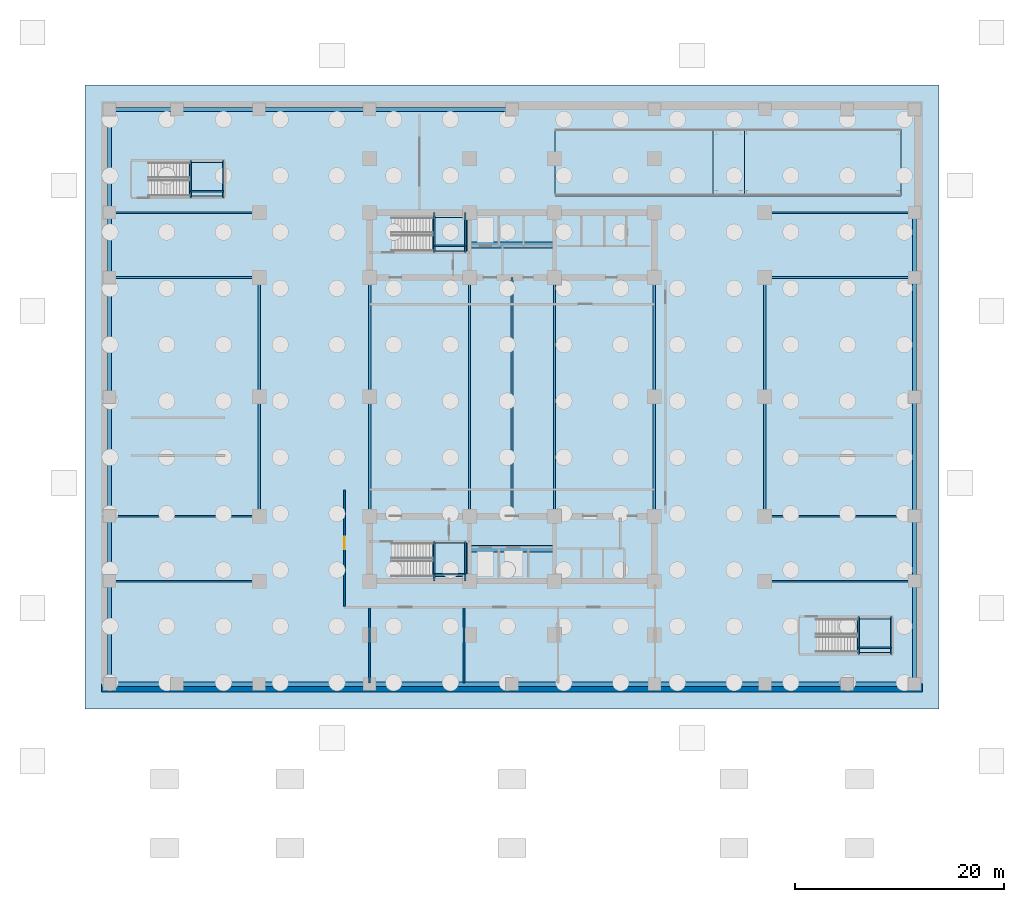
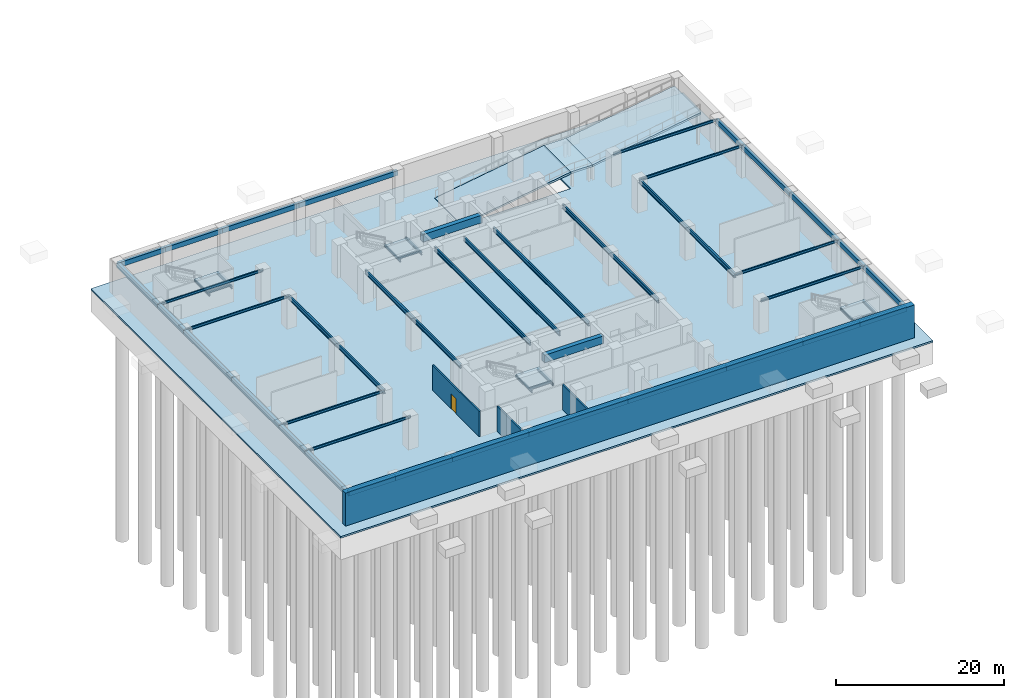
# One storey, part 6 of 13: 52 beams, 8 slabs, 4 walls, 1 door, 1 opening, 4 elements without a shape of their own.
"""IFC4 building model written with IfcOpenShell, lengths in metres."""

from ifc_helpers import new_model, si_unit, direction, frame, frame_2d, origin, origin_2d, place, context, subcontext, project, spatial, polyline, rectangle, i_section, outline, extrude, material, layer, layer_set, material_profile, profile_set, type_object, element, fill, aggregate, save


model = new_model("IFC4")

# Units and contexts
model_context = context("Model", 3, precision=1e-05, world=origin(), true_north=direction((0.0, 1.0)))
body_context = subcontext(model_context, "Body", "Model", "MODEL_VIEW")
ifc_project = project(units=[si_unit("LENGTHUNIT", "METRE"), si_unit("AREAUNIT", "SQUARE_METRE"), si_unit("VOLUMEUNIT", "CUBIC_METRE"), si_unit("PLANEANGLEUNIT", "RADIAN"), si_unit("MASSUNIT", "GRAM", prefix="KILO")], contexts=[model_context])

# Site, building, storey
site_placement = place(None, origin())
site = spatial("IfcSite", under=ifc_project, at=site_placement, CompositionType="ELEMENT")
building_placement = place(site_placement, origin())
building = spatial("IfcBuilding", under=site, at=building_placement, Name="Svetorya Sky Lyceum", CompositionType="ELEMENT")
storey_placement = place(building_placement, frame((0.0, 0.0, -4.800048828125)))
storey = spatial("IfcBuildingStorey", under=building, at=storey_placement, Name="B01", CompositionType="ELEMENT", Elevation=-4.800048828125)

# Beams
ifc_material_1 = material(Name="Concrete C60/75", Category="concrete")
ifc_material_profile_1 = material_profile(ifc_material_1, rectangle(XDim=0.60009765625, YDim=1.10009765625, at=origin_2d()), Name="RC COUPLING 600x1100")
ifc_profile_set_1 = profile_set([ifc_material_profile_1], Name="Concrete C60/75")
beam_type_1 = type_object("IfcBeamType", Name="BM-CPL-1100", PredefinedType="LINTEL", material=ifc_profile_set_1)
for number, where, z_axis, x_axis, name in (
    (1, (35.14990234375, 13.699951171875, 3.900146484375), (1.0, 0.0, 0.0), (0.0, 1.0, 0.0), "B01 SC Core Coupling Beam"),
    (2, (35.14990234375, 42.699951171875, 3.900146484375), (1.0, 0.0, 0.0), (0.0, 1.0, 0.0), "B01 NC Core Coupling Beam"),
):
    element("IfcBeam", number, at=place(storey_placement, frame(where, z_axis=z_axis, x_axis=x_axis)), inside=storey, type_object=beam_type_1, Name=name, PredefinedType="LINTEL", context=body_context, shape_type="SweptSolid", body=[
        extrude(rectangle(XDim=0.60009765625, YDim=1.10009765625, at=origin_2d()), origin(), (0.0, 0.0, 1.0), 8.10009765625),
    ])
ifc_material_2 = material(Name="Concrete C50/60", Category="concrete")
ifc_material_profile_2 = material_profile(ifc_material_2, rectangle(XDim=0.39990234375, YDim=0.699951171875, at=origin_2d()), Name="RC SPANDREL 400x700")
ifc_profile_set_2 = profile_set([ifc_material_profile_2], Name="Concrete C50/60")
beam_type_2 = type_object("IfcBeamType", Name="BM-SPN-700", PredefinedType="SPANDREL", material=ifc_profile_set_2)
for number, where, z_axis, x_axis, name in (
    (3, (0.75, 0.75, 4.10009765625), (1.0, 0.0, 0.0), (0.0, 1.0, 0.0), "B01 Podium South Spandrel 1"),
    (4, (0.75, 55.64990234375, 4.10009765625), (1.0, 0.0, 0.0), (0.0, 1.0, 0.0), "B01 Podium North Spandrel 1"),
):
    element("IfcBeam", number, at=place(storey_placement, frame(where, z_axis=z_axis, x_axis=x_axis)), inside=storey, type_object=beam_type_2, Name=name, PredefinedType="SPANDREL", context=body_context, shape_type="SweptSolid", body=[
        extrude(rectangle(XDim=0.39990234375, YDim=0.699951171875, at=origin_2d()), origin(), (0.0, 0.0, 1.0), 6.449951171875),
    ])
for number, where, z_axis, x_axis, name in (
    (5, (7.199951171875, 0.75, 4.10009765625), (1.0, 0.0, 0.0), (0.0, 1.0, 0.0), "B01 Podium South Spandrel 2"),
    (6, (7.199951171875, 55.64990234375, 4.10009765625), (1.0, 0.0, 0.0), (0.0, 1.0, 0.0), "B01 Podium North Spandrel 2"),
):
    element("IfcBeam", number, at=place(storey_placement, frame(where, z_axis=z_axis, x_axis=x_axis)), inside=storey, type_object=beam_type_2, Name=name, PredefinedType="SPANDREL", context=body_context, shape_type="SweptSolid", body=[
        extrude(rectangle(XDim=0.39990234375, YDim=0.699951171875, at=origin_2d()), origin(), (0.0, 0.0, 1.0), 7.85009765625),
    ])
for number, where, z_axis, x_axis, name in (
    (7, (15.050048828125, 0.75, 4.10009765625), (1.0, 0.0, 0.0), (0.0, 1.0, 0.0), "B01 Podium South Spandrel 3"),
    (8, (15.050048828125, 55.64990234375, 4.10009765625), (1.0, 0.0, 0.0), (0.0, 1.0, 0.0), "B01 Podium North Spandrel 3"),
):
    element("IfcBeam", number, at=place(storey_placement, frame(where, z_axis=z_axis, x_axis=x_axis)), inside=storey, type_object=beam_type_2, Name=name, PredefinedType="SPANDREL", context=body_context, shape_type="SweptSolid", body=[
        extrude(rectangle(XDim=0.39990234375, YDim=0.699951171875, at=origin_2d()), origin(), (0.0, 0.0, 1.0), 10.550048828125),
    ])
for number, where, z_axis, x_axis, name in (
    (9, (25.60009765625, 0.75, 4.10009765625), (1.0, 0.0, 0.0), (0.0, 1.0, 0.0), "B01 Podium South Spandrel 4"),
    (10, (25.60009765625, 55.64990234375, 4.10009765625), (1.0, 0.0, 0.0), (0.0, 1.0, 0.0), "B01 Podium North Spandrel 4"),
):
    element("IfcBeam", number, at=place(storey_placement, frame(where, z_axis=z_axis, x_axis=x_axis)), inside=storey, type_object=beam_type_2, Name=name, PredefinedType="SPANDREL", context=body_context, shape_type="SweptSolid", body=[
        extrude(rectangle(XDim=0.39990234375, YDim=0.699951171875, at=origin_2d()), origin(), (0.0, 0.0, 1.0), 13.599853515625),
    ])
beam_1_placement = place(storey_placement, frame((39.199951171875, 0.75, 4.10009765625), z_axis=(1.0, 0.0, 0.0), x_axis=(0.0, 1.0, 0.0)))
element("IfcBeam", 11, at=beam_1_placement, inside=storey, type_object=beam_type_2, Name="B01 Podium South Spandrel 5", PredefinedType="SPANDREL", context=body_context, shape_type="SweptSolid", body=[
    extrude(rectangle(XDim=0.39990234375, YDim=0.699951171875, at=origin_2d()), origin(), (0.0, 0.0, 1.0), 13.60009765625),
])
beam_2_placement = place(storey_placement, frame((52.800048828125, 0.75, 4.10009765625), z_axis=(1.0, 0.0, 0.0), x_axis=(0.0, 1.0, 0.0)))
element("IfcBeam", 12, at=beam_2_placement, inside=storey, type_object=beam_type_2, Name="B01 Podium South Spandrel 6", PredefinedType="SPANDREL", context=body_context, shape_type="SweptSolid", body=[
    extrude(rectangle(XDim=0.39990234375, YDim=0.699951171875, at=origin_2d()), origin(), (0.0, 0.0, 1.0), 10.550048828125),
])
beam_3_placement = place(storey_placement, frame((63.35009765625, 0.75, 4.10009765625), z_axis=(1.0, 0.0, 0.0), x_axis=(0.0, 1.0, 0.0)))
element("IfcBeam", 13, at=beam_3_placement, inside=storey, type_object=beam_type_2, Name="B01 Podium South Spandrel 7", PredefinedType="SPANDREL", context=body_context, shape_type="SweptSolid", body=[
    extrude(rectangle(XDim=0.39990234375, YDim=0.699951171875, at=origin_2d()), origin(), (0.0, 0.0, 1.0), 7.849853515625),
])
beam_4_placement = place(storey_placement, frame((71.199951171875, 0.75, 4.10009765625), z_axis=(1.0, 0.0, 0.0), x_axis=(0.0, 1.0, 0.0)))
element("IfcBeam", 14, at=beam_4_placement, inside=storey, type_object=beam_type_2, Name="B01 Podium South Spandrel 8", PredefinedType="SPANDREL", context=body_context, shape_type="SweptSolid", body=[
    extrude(rectangle(XDim=0.39990234375, YDim=0.699951171875, at=origin_2d()), origin(), (0.0, 0.0, 1.0), 6.449951171875),
])
for number, where, z_axis, x_axis, name in (
    (15, (0.75, 0.75, 4.10009765625), (0.0, 1.0, 0.0), (-1.0, 0.0, 0.0), "B01 Podium West Spandrel 1"),
    (16, (77.64990234375, 0.75, 4.10009765625), (0.0, 1.0, 0.0), (-1.0, 0.0, 0.0), "B01 Podium East Spandrel 1"),
):
    element("IfcBeam", number, at=place(storey_placement, frame(where, z_axis=z_axis, x_axis=x_axis)), inside=storey, type_object=beam_type_2, Name=name, PredefinedType="SPANDREL", context=body_context, shape_type="SweptSolid", body=[
        extrude(rectangle(XDim=0.39990234375, YDim=0.699951171875, at=origin_2d()), origin(), (0.0, 0.0, 1.0), 9.85009765625),
    ])
for number, where, z_axis, x_axis, name in (
    (17, (0.75, 10.60009765625, 4.10009765625), (0.0, 1.0, 0.0), (-1.0, 0.0, 0.0), "B01 Podium West Spandrel 2"),
    (18, (77.64990234375, 10.60009765625, 4.10009765625), (0.0, 1.0, 0.0), (-1.0, 0.0, 0.0), "B01 Podium East Spandrel 2"),
):
    element("IfcBeam", number, at=place(storey_placement, frame(where, z_axis=z_axis, x_axis=x_axis)), inside=storey, type_object=beam_type_2, Name=name, PredefinedType="SPANDREL", context=body_context, shape_type="SweptSolid", body=[
        extrude(rectangle(XDim=0.39990234375, YDim=0.699951171875, at=origin_2d()), origin(), (0.0, 0.0, 1.0), 6.199951171875),
    ])
for number, where, z_axis, x_axis, name in (
    (19, (0.75, 16.800048828125, 4.10009765625), (0.0, 1.0, 0.0), (-1.0, 0.0, 0.0), "B01 Podium West Spandrel 3"),
    (20, (77.64990234375, 16.800048828125, 4.10009765625), (0.0, 1.0, 0.0), (-1.0, 0.0, 0.0), "B01 Podium East Spandrel 3"),
):
    element("IfcBeam", number, at=place(storey_placement, frame(where, z_axis=z_axis, x_axis=x_axis)), inside=storey, type_object=beam_type_2, Name=name, PredefinedType="SPANDREL", context=body_context, shape_type="SweptSolid", body=[
        extrude(rectangle(XDim=0.39990234375, YDim=0.699951171875, at=origin_2d()), origin(), (0.0, 0.0, 1.0), 11.39990234375),
    ])
for number, where, z_axis, x_axis, name in (
    (21, (0.75, 28.199951171875, 4.10009765625), (0.0, 1.0, 0.0), (-1.0, 0.0, 0.0), "B01 Podium West Spandrel 4"),
    (22, (77.64990234375, 28.199951171875, 4.10009765625), (0.0, 1.0, 0.0), (-1.0, 0.0, 0.0), "B01 Podium East Spandrel 4"),
):
    element("IfcBeam", number, at=place(storey_placement, frame(where, z_axis=z_axis, x_axis=x_axis)), inside=storey, type_object=beam_type_2, Name=name, PredefinedType="SPANDREL", context=body_context, shape_type="SweptSolid", body=[
        extrude(rectangle(XDim=0.39990234375, YDim=0.699951171875, at=origin_2d()), origin(), (0.0, 0.0, 1.0), 11.400146484375),
    ])
for number, where, z_axis, x_axis, name in (
    (23, (0.75, 39.60009765625, 4.10009765625), (0.0, 1.0, 0.0), (-1.0, 0.0, 0.0), "B01 Podium West Spandrel 5"),
    (24, (77.64990234375, 39.60009765625, 4.10009765625), (0.0, 1.0, 0.0), (-1.0, 0.0, 0.0), "B01 Podium East Spandrel 5"),
):
    element("IfcBeam", number, at=place(storey_placement, frame(where, z_axis=z_axis, x_axis=x_axis)), inside=storey, type_object=beam_type_2, Name=name, PredefinedType="SPANDREL", context=body_context, shape_type="SweptSolid", body=[
        extrude(rectangle(XDim=0.39990234375, YDim=0.699951171875, at=origin_2d()), origin(), (0.0, 0.0, 1.0), 6.199951171875),
    ])
beam_5_placement = place(storey_placement, frame((0.75, 45.800048828125, 4.10009765625), z_axis=(0.0, 1.0, 0.0), x_axis=(-1.0, 0.0, 0.0)))
element("IfcBeam", 25, at=beam_5_placement, inside=storey, type_object=beam_type_2, Name="B01 Podium West Spandrel 6", PredefinedType="SPANDREL", context=body_context, shape_type="SweptSolid", body=[
    extrude(rectangle(XDim=0.39990234375, YDim=0.699951171875, at=origin_2d()), origin(), (0.0, 0.0, 1.0), 9.849853515625),
])
ifc_material_3 = material(Name="Steel S355", Category="steel")
ifc_material_profile_3 = material_profile(ifc_material_3, i_section(OverallWidth=0.14990234375, OverallDepth=0.299072265625, WebThickness=0.006591796875, FlangeThickness=0.010498046875, at=origin_2d()), Name="GOST 30B2")
ifc_profile_set_3 = profile_set([ifc_material_profile_3], Name="Steel S355")
beam_type_3 = type_object("IfcBeamType", Name="BM-STL-30B2", PredefinedType="JOIST", material=ifc_profile_set_3)
for number, where, z_axis, x_axis, name in (
    (26, (31.780029296875, 10.60009765625, 2.050537109375), (0.0, 1.0, 0.0), (-1.0, 0.0, 0.0), "B01 Stair ST-S Half-Landing Support Beam 1.1"),
    (27, (34.719970703125, 10.60009765625, 2.050537109375), (0.0, 1.0, 0.0), (-1.0, 0.0, 0.0), "B01 Stair ST-S Half-Landing Support Beam 1.2"),
):
    element("IfcBeam", number, at=place(storey_placement, frame(where, z_axis=z_axis, x_axis=x_axis)), inside=storey, type_object=beam_type_3, Name=name, PredefinedType="JOIST", context=body_context, shape_type="SweptSolid", body=[
        extrude(i_section(OverallWidth=0.14990234375, OverallDepth=0.299072265625, WebThickness=0.006591796875, FlangeThickness=0.010498046875, at=origin_2d()), origin(), (0.0, 0.0, 1.0), 3.7998046875),
    ])
beam_6_placement = place(storey_placement, frame((31.780029296875, 11.25, 2.050537109375), z_axis=(1.0, 0.0, 0.0), x_axis=(0.0, 1.0, 0.0)))
element("IfcBeam", 28, at=beam_6_placement, inside=storey, type_object=beam_type_3, Name="B01 Stair ST-S Half-Landing Cross Tie 1", PredefinedType="JOIST", context=body_context, shape_type="SweptSolid", body=[
    extrude(i_section(OverallWidth=0.14990234375, OverallDepth=0.299072265625, WebThickness=0.006591796875, FlangeThickness=0.010498046875, at=origin_2d()), origin(), (0.0, 0.0, 1.0), 2.93994140625),
])
for number, where, z_axis, x_axis, name in (
    (29, (31.780029296875, 42.0, 2.050537109375), (0.0, 1.0, 0.0), (-1.0, 0.0, 0.0), "B01 Stair ST-N Half-Landing Support Beam 1.1"),
    (30, (34.719970703125, 42.0, 2.050537109375), (0.0, 1.0, 0.0), (-1.0, 0.0, 0.0), "B01 Stair ST-N Half-Landing Support Beam 1.2"),
):
    element("IfcBeam", number, at=place(storey_placement, frame(where, z_axis=z_axis, x_axis=x_axis)), inside=storey, type_object=beam_type_3, Name=name, PredefinedType="JOIST", context=body_context, shape_type="SweptSolid", body=[
        extrude(i_section(OverallWidth=0.14990234375, OverallDepth=0.299072265625, WebThickness=0.006591796875, FlangeThickness=0.010498046875, at=origin_2d()), origin(), (0.0, 0.0, 1.0), 3.800048828125),
    ])
beam_7_placement = place(storey_placement, frame((31.780029296875, 42.64990234375, 2.050537109375), z_axis=(1.0, 0.0, 0.0), x_axis=(0.0, 1.0, 0.0)))
element("IfcBeam", 31, at=beam_7_placement, inside=storey, type_object=beam_type_3, Name="B01 Stair ST-N Half-Landing Cross Tie 1", PredefinedType="JOIST", context=body_context, shape_type="SweptSolid", body=[
    extrude(i_section(OverallWidth=0.14990234375, OverallDepth=0.299072265625, WebThickness=0.006591796875, FlangeThickness=0.010498046875, at=origin_2d()), origin(), (0.0, 0.0, 1.0), 2.93994140625),
])
for number, where, z_axis, x_axis, name in (
    (32, (8.530029296875, 47.199951171875, 2.050537109375), (0.0, 1.0, 0.0), (-1.0, 0.0, 0.0), "B01 Stair ST-B1 Half-Landing Support Beam 1.1"),
    (33, (11.6201171875, 47.199951171875, 2.050537109375), (0.0, 1.0, 0.0), (-1.0, 0.0, 0.0), "B01 Stair ST-B1 Half-Landing Support Beam 1.2"),
):
    element("IfcBeam", number, at=place(storey_placement, frame(where, z_axis=z_axis, x_axis=x_axis)), inside=storey, type_object=beam_type_3, Name=name, PredefinedType="JOIST", context=body_context, shape_type="SweptSolid", body=[
        extrude(i_section(OverallWidth=0.14990234375, OverallDepth=0.299072265625, WebThickness=0.006591796875, FlangeThickness=0.010498046875, at=origin_2d()), origin(), (0.0, 0.0, 1.0), 3.60009765625),
    ])
beam_8_placement = place(storey_placement, frame((8.530029296875, 47.85009765625, 2.050537109375), z_axis=(1.0, 0.0, 0.0), x_axis=(0.0, 1.0, 0.0)))
element("IfcBeam", 34, at=beam_8_placement, inside=storey, type_object=beam_type_3, Name="B01 Stair ST-B1 Half-Landing Cross Tie 1", PredefinedType="JOIST", context=body_context, shape_type="SweptSolid", body=[
    extrude(i_section(OverallWidth=0.14990234375, OverallDepth=0.299072265625, WebThickness=0.006591796875, FlangeThickness=0.010498046875, at=origin_2d()), origin(), (0.0, 0.0, 1.0), 3.090087890625),
])
for number, where, z_axis, x_axis, name in (
    (35, (72.330078125, 3.60009765625, 2.050537109375), (0.0, 1.0, 0.0), (-1.0, 0.0, 0.0), "B01 Stair ST-B2 Half-Landing Support Beam 1.1"),
    (36, (75.419921875, 3.60009765625, 2.050537109375), (0.0, 1.0, 0.0), (-1.0, 0.0, 0.0), "B01 Stair ST-B2 Half-Landing Support Beam 1.2"),
):
    element("IfcBeam", number, at=place(storey_placement, frame(where, z_axis=z_axis, x_axis=x_axis)), inside=storey, type_object=beam_type_3, Name=name, PredefinedType="JOIST", context=body_context, shape_type="SweptSolid", body=[
        extrude(i_section(OverallWidth=0.14990234375, OverallDepth=0.299072265625, WebThickness=0.006591796875, FlangeThickness=0.010498046875, at=origin_2d()), origin(), (0.0, 0.0, 1.0), 3.599853515625),
    ])
beam_9_placement = place(storey_placement, frame((72.330078125, 4.25, 2.050537109375), z_axis=(1.0, 0.0, 0.0), x_axis=(0.0, 1.0, 0.0)))
element("IfcBeam", 37, at=beam_9_placement, inside=storey, type_object=beam_type_3, Name="B01 Stair ST-B2 Half-Landing Cross Tie 1", PredefinedType="JOIST", context=body_context, shape_type="SweptSolid", body=[
    extrude(i_section(OverallWidth=0.14990234375, OverallDepth=0.299072265625, WebThickness=0.006591796875, FlangeThickness=0.010498046875, at=origin_2d()), origin(), (0.0, 0.0, 1.0), 3.08984375),
])
ifc_material_profile_4 = material_profile(ifc_material_3, i_section(OverallWidth=0.155029296875, OverallDepth=0.34912109375, WebThickness=0.007080078125, FlangeThickness=0.011474609375, at=origin_2d()), Name="GOST 35B2")
ifc_profile_set_4 = profile_set([ifc_material_profile_4], Name="Steel S355")
beam_type_4 = type_object("IfcBeamType", Name="BM-STL-35B2", PredefinedType="JOIST", material=ifc_profile_set_4)
beam_10_placement = place(storey_placement, frame((0.75, 10.60009765625, 4.275634765625), z_axis=(1.0, 0.0, 0.0), x_axis=(0.0, 1.0, 0.0)))
element("IfcBeam", 38, at=beam_10_placement, inside=storey, type_object=beam_type_4, Name="B01 Podium Wing Joist W1", PredefinedType="JOIST", context=body_context, shape_type="SweptSolid", body=[
    extrude(i_section(OverallWidth=0.155029296875, OverallDepth=0.34912109375, WebThickness=0.007080078125, FlangeThickness=0.011474609375, at=origin_2d()), origin(), (0.0, 0.0, 1.0), 14.300048828125),
])
beam_11_placement = place(storey_placement, frame((63.35009765625, 10.60009765625, 4.275634765625), z_axis=(1.0, 0.0, 0.0), x_axis=(0.0, 1.0, 0.0)))
element("IfcBeam", 39, at=beam_11_placement, inside=storey, type_object=beam_type_4, Name="B01 Podium Wing Joist E1", PredefinedType="JOIST", context=body_context, shape_type="SweptSolid", body=[
    extrude(i_section(OverallWidth=0.155029296875, OverallDepth=0.34912109375, WebThickness=0.007080078125, FlangeThickness=0.011474609375, at=origin_2d()), origin(), (0.0, 0.0, 1.0), 14.2998046875),
])
beam_12_placement = place(storey_placement, frame((0.75, 16.800048828125, 4.275634765625), z_axis=(1.0, 0.0, 0.0), x_axis=(0.0, 1.0, 0.0)))
element("IfcBeam", 40, at=beam_12_placement, inside=storey, type_object=beam_type_4, Name="B01 Podium Wing Joist W2", PredefinedType="JOIST", context=body_context, shape_type="SweptSolid", body=[
    extrude(i_section(OverallWidth=0.155029296875, OverallDepth=0.34912109375, WebThickness=0.007080078125, FlangeThickness=0.011474609375, at=origin_2d()), origin(), (0.0, 0.0, 1.0), 14.300048828125),
])
beam_13_placement = place(storey_placement, frame((63.35009765625, 16.800048828125, 4.275634765625), z_axis=(1.0, 0.0, 0.0), x_axis=(0.0, 1.0, 0.0)))
element("IfcBeam", 41, at=beam_13_placement, inside=storey, type_object=beam_type_4, Name="B01 Podium Wing Joist E2", PredefinedType="JOIST", context=body_context, shape_type="SweptSolid", body=[
    extrude(i_section(OverallWidth=0.155029296875, OverallDepth=0.34912109375, WebThickness=0.007080078125, FlangeThickness=0.011474609375, at=origin_2d()), origin(), (0.0, 0.0, 1.0), 14.2998046875),
])
beam_14_placement = place(storey_placement, frame((0.75, 39.60009765625, 4.275634765625), z_axis=(1.0, 0.0, 0.0), x_axis=(0.0, 1.0, 0.0)))
element("IfcBeam", 42, at=beam_14_placement, inside=storey, type_object=beam_type_4, Name="B01 Podium Wing Joist W3", PredefinedType="JOIST", context=body_context, shape_type="SweptSolid", body=[
    extrude(i_section(OverallWidth=0.155029296875, OverallDepth=0.34912109375, WebThickness=0.007080078125, FlangeThickness=0.011474609375, at=origin_2d()), origin(), (0.0, 0.0, 1.0), 14.300048828125),
])
beam_15_placement = place(storey_placement, frame((63.35009765625, 39.60009765625, 4.275634765625), z_axis=(1.0, 0.0, 0.0), x_axis=(0.0, 1.0, 0.0)))
element("IfcBeam", 43, at=beam_15_placement, inside=storey, type_object=beam_type_4, Name="B01 Podium Wing Joist E3", PredefinedType="JOIST", context=body_context, shape_type="SweptSolid", body=[
    extrude(i_section(OverallWidth=0.155029296875, OverallDepth=0.34912109375, WebThickness=0.007080078125, FlangeThickness=0.011474609375, at=origin_2d()), origin(), (0.0, 0.0, 1.0), 14.2998046875),
])
beam_16_placement = place(storey_placement, frame((0.75, 45.800048828125, 4.275634765625), z_axis=(1.0, 0.0, 0.0), x_axis=(0.0, 1.0, 0.0)))
element("IfcBeam", 44, at=beam_16_placement, inside=storey, type_object=beam_type_4, Name="B01 Podium Wing Joist W4", PredefinedType="JOIST", context=body_context, shape_type="SweptSolid", body=[
    extrude(i_section(OverallWidth=0.155029296875, OverallDepth=0.34912109375, WebThickness=0.007080078125, FlangeThickness=0.011474609375, at=origin_2d()), origin(), (0.0, 0.0, 1.0), 14.300048828125),
])
beam_17_placement = place(storey_placement, frame((63.35009765625, 45.800048828125, 4.275634765625), z_axis=(1.0, 0.0, 0.0), x_axis=(0.0, 1.0, 0.0)))
element("IfcBeam", 45, at=beam_17_placement, inside=storey, type_object=beam_type_4, Name="B01 Podium Wing Joist E4", PredefinedType="JOIST", context=body_context, shape_type="SweptSolid", body=[
    extrude(i_section(OverallWidth=0.155029296875, OverallDepth=0.34912109375, WebThickness=0.007080078125, FlangeThickness=0.011474609375, at=origin_2d()), origin(), (0.0, 0.0, 1.0), 14.2998046875),
])
ifc_material_profile_5 = material_profile(ifc_material_3, i_section(OverallWidth=0.215087890625, OverallDepth=0.60009765625, WebThickness=0.011962890625, FlangeThickness=0.01904296875, at=origin_2d()), Name="GOST 60B2")
ifc_profile_set_5 = profile_set([ifc_material_profile_5], Name="Steel S355")
beam_type_5 = type_object("IfcBeamType", Name="BM-STL-60B2", PredefinedType="BEAM", material=ifc_profile_set_5)
for number, where, z_axis, x_axis, name in (
    (46, (15.050048828125, 16.800048828125, 4.150146484375), (0.0, 1.0, 0.0), (-1.0, 0.0, 0.0), "B01 Lyceum Hall Steel Girder HG-1"),
    (47, (25.60009765625, 16.800048828125, 4.150146484375), (0.0, 1.0, 0.0), (-1.0, 0.0, 0.0), "B01 Lyceum Hall Steel Girder HG-2"),
    (48, (35.14990234375, 16.800048828125, 4.150146484375), (0.0, 1.0, 0.0), (-1.0, 0.0, 0.0), "B01 Lyceum Hall Steel Girder HG-3"),
    (49, (39.199951171875, 16.800048828125, 4.150146484375), (0.0, 1.0, 0.0), (-1.0, 0.0, 0.0), "B01 Lyceum Hall Steel Girder HG-4"),
    (50, (43.25, 16.800048828125, 4.150146484375), (0.0, 1.0, 0.0), (-1.0, 0.0, 0.0), "B01 Lyceum Hall Steel Girder HG-5"),
    (51, (52.800048828125, 16.800048828125, 4.150146484375), (0.0, 1.0, 0.0), (-1.0, 0.0, 0.0), "B01 Lyceum Hall Steel Girder HG-6"),
    (52, (63.35009765625, 16.800048828125, 4.150146484375), (0.0, 1.0, 0.0), (-1.0, 0.0, 0.0), "B01 Lyceum Hall Steel Girder HG-7"),
):
    element("IfcBeam", number, at=place(storey_placement, frame(where, z_axis=z_axis, x_axis=x_axis)), inside=storey, type_object=beam_type_5, Name=name, PredefinedType="BEAM", context=body_context, shape_type="SweptSolid", body=[
        extrude(i_section(OverallWidth=0.215087890625, OverallDepth=0.60009765625, WebThickness=0.011962890625, FlangeThickness=0.01904296875, at=origin_2d()), origin(), (0.0, 0.0, 1.0), 22.800048828125),
    ])

# Slabs
ifc_layer_1 = layer(ifc_material_2, 0.239990234375)
ifc_layer_set_1 = layer_set([ifc_layer_1], Name="Concrete C50/60")
slab_type_1 = type_object("IfcSlabType", Name="SL-BASE-240", PredefinedType="BASESLAB", material=ifc_layer_set_1)
slab_1_placement = place(storey_placement, frame((0.0, 0.0, -0.239990234375)))
element("IfcSlab", 53, at=slab_1_placement, inside=storey, type_object=slab_type_1, Name="B01 Structural Base Slab", PredefinedType="BASESLAB", context=body_context, shape_type="SweptSolid", body=[
    extrude(outline(polyline([(-1.60009765625, -1.60009765625), (80.0, -1.60009765625), (80.0, 58.0), (-1.60009765625, 58.0), (-1.60009765625, -1.60009765625)]), holes=[polyline([(43.300048828125, 47.39990234375), (58.39990234375, 47.39990234375), (58.39990234375, 53.800048828125), (43.300048828125, 53.800048828125), (43.300048828125, 47.39990234375)])]), origin(), (0.0, 0.0, 1.0), 0.239990234375),
])
ifc_layer_2 = layer(ifc_material_2, 0.31005859375)
ifc_layer_set_2 = layer_set([ifc_layer_2], Name="Concrete C50/60")
slab_type_2 = type_object("IfcSlabType", Name="SL-RAMP-LAND-310", PredefinedType="LANDING", material=ifc_layer_set_2)
slab_2_placement = place(storey_placement, frame((0.0, 0.0, 2.090087890625)))
element("IfcSlab", 54, at=slab_2_placement, inside=storey, type_object=slab_type_2, Name="Vehicle Ramp VR-1 Mid Landing", PredefinedType="LANDING", context=body_context, shape_type="SweptSolid", body=[
    extrude(outline(polyline([(58.39990234375, 47.39990234375), (61.39990234375, 47.39990234375), (61.39990234375, 53.800048828125), (58.39990234375, 53.800048828125), (58.39990234375, 47.39990234375)])), origin(), (0.0, 0.0, 1.0), 0.31005859375),
])
ifc_layer_3 = layer(ifc_material_2, 0.300048828125)
ifc_layer_set_3 = layer_set([ifc_layer_3], Name="Concrete C50/60")
slab_type_3 = type_object("IfcSlabType", Name="SL-RAMP-VEH-300", PredefinedType="USERDEFINED", material=ifc_layer_set_3)
slab_3_placement = place(storey_placement, frame((43.320068359375, 53.800048828125, 0.0), z_axis=(0.0, -1.0, 0.0), x_axis=(1.0, 0.0, 0.0)))
element("IfcSlab", 55, at=slab_3_placement, inside=storey, type_object=slab_type_3, Name="Vehicle Ramp VR-1 Lower Structural Slab", ObjectType="RAMP", PredefinedType="USERDEFINED", context=body_context, shape_type="SweptSolid", body=[
    extrude(outline(polyline([(0.0, -0.239990234375), (15.070068359375, 2.10009765625), (15.070068359375, 2.39990234375), (0.0, 0.0), (0.0, -0.239990234375)])), origin(), (0.0, 0.0, 1.0), 6.400146484375),
])
slab_4_placement = place(storey_placement, frame((61.409912109375, 53.800048828125, 2.400146484375), z_axis=(0.0, -1.0, 0.0), x_axis=(1.0, 0.0, 0.0)))
element("IfcSlab", 56, at=slab_4_placement, inside=storey, type_object=slab_type_3, Name="Vehicle Ramp VR-1 Upper Structural Slab", ObjectType="RAMP", PredefinedType="USERDEFINED", context=body_context, shape_type="SweptSolid", body=[
    extrude(outline(polyline([(0.0, -0.300048828125), (14.93994140625, 2.10009765625), (14.93994140625, 2.39990234375), (0.0, 0.0), (0.0, -0.300048828125)])), origin(), (0.0, 0.0, 1.0), 6.400146484375),
])

# Stair, slab
ifc_material_4 = material(Name="Concrete C40/50", Category="concrete")
stair_type_1 = type_object("IfcStairType", Name="STR-ST-S", PredefinedType="HALF_TURN_STAIR", material=ifc_material_4)
stair_1_placement = place(storey_placement, origin())
stair_1 = element("IfcStair", 57, at=stair_1_placement, inside=storey, type_object=stair_type_1, Name="B01 South Core Smoke-Free Exit Stair N2", PredefinedType="HALF_TURN_STAIR")
ifc_layer_4 = layer(ifc_material_4, 0.199951171875)
ifc_layer_set_4 = layer_set([ifc_layer_4], Name="Concrete C40/50")
slab_type_4 = type_object("IfcSlabType", Name="SL-STR-LAND-200", PredefinedType="LANDING", material=ifc_layer_set_4)
slab_5_placement = place(storey_placement, frame((0.0, 0.0, 2.199951171875)))
slab_5 = element("IfcSlab", 58, at=slab_5_placement, type_object=slab_type_4, Name="ST-S landing 1", PredefinedType="LANDING", context=body_context, shape_type="SweptSolid", body=[
    extrude(outline(polyline([(31.60009765625, 11.050048828125), (34.89990234375, 11.050048828125), (34.89990234375, 14.25), (31.60009765625, 14.25), (31.60009765625, 11.050048828125)])), origin(), (0.0, 0.0, 1.0), 0.2001953125),
])
aggregate(stair_1, [slab_5])

stair_type_2 = type_object("IfcStairType", Name="STR-ST-N", PredefinedType="HALF_TURN_STAIR", material=ifc_material_4)
stair_2_placement = place(storey_placement, origin())
stair_2 = element("IfcStair", 59, at=stair_2_placement, inside=storey, type_object=stair_type_2, Name="B01 North Core Smoke-Free Exit Stair N3", PredefinedType="HALF_TURN_STAIR")
slab_6_placement = place(storey_placement, frame((0.0, 0.0, 2.199951171875)))
slab_6 = element("IfcSlab", 60, at=slab_6_placement, type_object=slab_type_4, Name="ST-N landing 1", PredefinedType="LANDING", context=body_context, shape_type="SweptSolid", body=[
    extrude(outline(polyline([(31.60009765625, 42.14990234375), (34.89990234375, 42.14990234375), (34.89990234375, 45.35009765625), (31.60009765625, 45.35009765625), (31.60009765625, 42.14990234375)])), origin(), (0.0, 0.0, 1.0), 0.2001953125),
])
aggregate(stair_2, [slab_6])

stair_type_3 = type_object("IfcStairType", Name="STR-ST-B1", PredefinedType="HALF_TURN_STAIR", material=ifc_material_4)
stair_3_placement = place(storey_placement, origin())
stair_3 = element("IfcStair", 61, at=stair_3_placement, inside=storey, type_object=stair_type_3, Name="B01 West Basement Dedicated Exit Stair", PredefinedType="HALF_TURN_STAIR")
slab_7_placement = place(storey_placement, frame((0.0, 0.0, 2.199951171875)))
slab_7 = element("IfcSlab", 62, at=slab_7_placement, type_object=slab_type_4, Name="ST-B1 landing 1", PredefinedType="LANDING", context=body_context, shape_type="SweptSolid", body=[
    extrude(outline(polyline([(8.35009765625, 47.39990234375), (11.800048828125, 47.39990234375), (11.800048828125, 50.60009765625), (8.35009765625, 50.60009765625), (8.35009765625, 47.39990234375)])), origin(), (0.0, 0.0, 1.0), 0.2001953125),
])
aggregate(stair_3, [slab_7])

stair_type_4 = type_object("IfcStairType", Name="STR-ST-B2", PredefinedType="HALF_TURN_STAIR", material=ifc_material_4)
stair_4_placement = place(storey_placement, origin())
stair_4 = element("IfcStair", 63, at=stair_4_placement, inside=storey, type_object=stair_type_4, Name="B01 East Basement Dedicated Exit Stair", PredefinedType="HALF_TURN_STAIR")
slab_8_placement = place(storey_placement, frame((0.0, 0.0, 2.199951171875)))
slab_8 = element("IfcSlab", 64, at=slab_8_placement, type_object=slab_type_4, Name="ST-B2 landing 1", PredefinedType="LANDING", context=body_context, shape_type="SweptSolid", body=[
    extrude(outline(polyline([(72.14990234375, 3.800048828125), (75.60009765625, 3.800048828125), (75.60009765625, 7.0), (72.14990234375, 7.0), (72.14990234375, 3.800048828125)])), origin(), (0.0, 0.0, 1.0), 0.2001953125),
])
aggregate(stair_4, [slab_8])

# Wall
ifc_layer_5 = layer(ifc_material_2, 0.800048828125)
ifc_layer_set_5 = layer_set([ifc_layer_5], Name="Concrete C50/60")
wall_type_1 = type_object("IfcWallType", Name="WL-DIAPH-800", PredefinedType="USERDEFINED", material=ifc_layer_set_5)
wall_1_placement = place(storey_placement, frame((0.0, 0.39990234375, 0.0), z_axis=(0.0, 0.0, 1.0), x_axis=(1.0, 0.0, 0.0)))
element("IfcWall", 65, at=wall_1_placement, inside=storey, type_object=wall_type_1, Name="Basement Diaphragm Wall S", ObjectType="RETAININGWALL", PredefinedType="USERDEFINED", context=body_context, shape_type="SweptSolid", body=[
    extrude(rectangle(XDim=78.39990234375, YDim=0.800048828125, at=frame_2d((39.199951171875, 0.0))), origin(), (0.0, 0.0, 1.0), 4.800048828125),
])

# Wall, opening, door
ifc_material_5 = material(Name="Autoclaved cellular masonry blockwork with gypsum plaster", Category="masonry")
ifc_layer_6 = layer(ifc_material_5, 0.199951171875)
ifc_layer_set_6 = layer_set([ifc_layer_6], Name="Autoclaved cellular masonry blockwork with gypsum plaster")
wall_type_2 = type_object("IfcWallType", Name="WL-PART-200", PredefinedType="PARTITIONING", material=ifc_layer_set_6)
wall_2_placement = place(storey_placement, frame((23.199951171875, 8.14990234375, 0.0), z_axis=(0.0, 0.0, 1.0), x_axis=(0.0, 1.0, 0.0)))
wall_2 = element("IfcWall", 66, at=wall_2_placement, inside=storey, type_object=wall_type_2, Name="B01 Interior Partition B01-CW-W", PredefinedType="PARTITIONING", context=body_context, shape_type="SweptSolid", body=[
    extrude(rectangle(XDim=11.150146484375, YDim=0.199951171875, at=frame_2d((5.5751953125, 0.0))), origin(), (0.0, 0.0, 1.0), 3.670166015625),
])
opening_placement = place(wall_2_placement, frame((5.5, 0.0, 0.0)))
opening = element("IfcOpeningElement", 67, at=opening_placement, cuts=wall_2, Name="Opening D-FL1", PredefinedType="OPENING", context=body_context, shape_type="SweptSolid", body=[
    extrude(rectangle(XDim=1.199951171875, YDim=2.14990234375, at=frame_2d((0.60009765625, 1.074951171875))), frame((0.0, 0.10986328125, 0.0), z_axis=(0.0, -1.0, 0.0), x_axis=(1.0, 0.0, 0.0)), (0.0, 0.0, 1.0), 0.219970703125),
])
ifc_material_6 = material(Name="Powder-coated insulated galvanized fire door")
door_type = type_object("IfcDoorType", Name="DR-FIRE-1200", OperationType="SINGLE_SWING_LEFT", PredefinedType="DOOR", material=ifc_material_6)
door_placement = place(opening_placement, origin())
door = element("IfcDoor", 68, at=door_placement, inside=storey, type_object=door_type, Name="West Car Park Vestibule Door", OperationType="SINGLE_SWING_LEFT", OverallHeight=2.14990234375, OverallWidth=1.199951171875, PredefinedType="DOOR", context=body_context, shape_type="SweptSolid", body=[
    extrude(rectangle(XDim=1.199951171875, YDim=2.14990234375, at=frame_2d((0.60009765625, 1.074951171875))), frame((0.0, 0.02490234375, 0.0), z_axis=(0.0, -1.0, 0.0), x_axis=(1.0, 0.0, 0.0)), (0.0, 0.0, 1.0), 0.050048828125),
])
fill(opening, door)

# Walls
for number, where, z_axis, x_axis, name in (
    (69, (25.60009765625, 0.85009765625, 0.0), (0.0, 0.0, 1.0), (0.0, 1.0, 0.0), "B01 Interior Partition B01-PC-W2"),
    (70, (34.60009765625, 0.85009765625, 0.0), (0.0, 0.0, 1.0), (0.0, 1.0, 0.0), "B01 Interior Partition B01-PD1"),
):
    element("IfcWall", number, at=place(storey_placement, frame(where, z_axis=z_axis, x_axis=x_axis)), inside=storey, type_object=wall_type_2, Name=name, PredefinedType="PARTITIONING", context=body_context, shape_type="SweptSolid", body=[
        extrude(rectangle(XDim=7.199951171875, YDim=0.199951171875, at=frame_2d((3.60009765625, 0.0))), origin(), (0.0, 0.0, 1.0), 3.670166015625),
    ])

save(model, "model.ifc")
